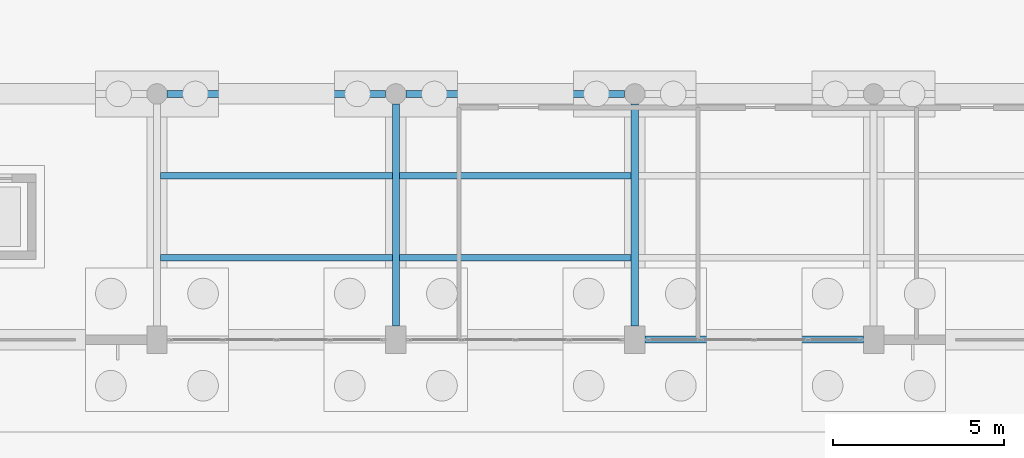
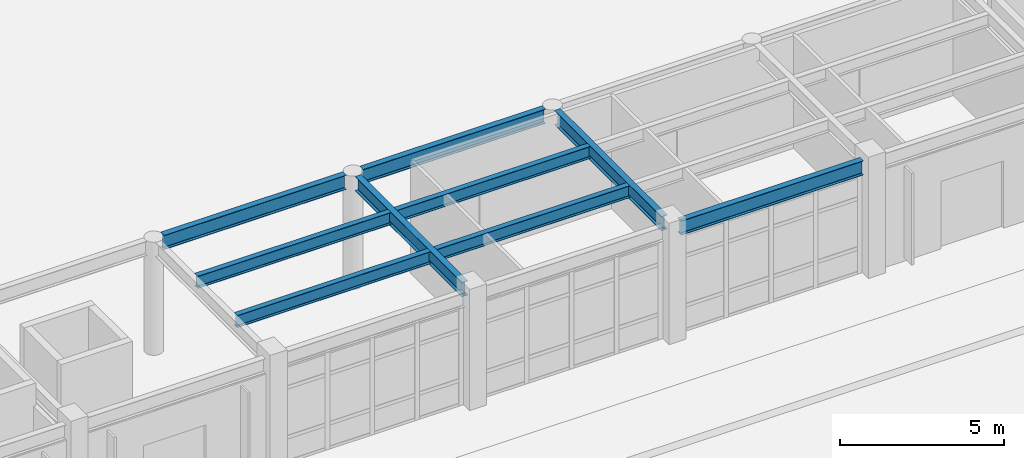
# One storey, part 17 of 154: 9 beams.
"""IFC4 building model written with IfcOpenShell, lengths in metres."""

from ifc_helpers import new_model, si_unit, direction, frame, origin, origin_2d, place, context, subcontext, project, spatial, i_section, extrude, material, material_profile, profile_set, type_object, element, save


model = new_model("IFC4")

# Units and contexts
model_context = context("Model", 3, precision=1e-05, world=origin(), true_north=direction((0.0, 1.0)))
body_context = subcontext(model_context, "Body", "Model", "MODEL_VIEW")
ifc_project = project(units=[si_unit("LENGTHUNIT", "METRE"), si_unit("AREAUNIT", "SQUARE_METRE"), si_unit("VOLUMEUNIT", "CUBIC_METRE"), si_unit("PLANEANGLEUNIT", "RADIAN"), si_unit("MASSUNIT", "GRAM", prefix="KILO")], contexts=[model_context])

# Site, building, storey
site_placement = place(None, origin())
site = spatial("IfcSite", under=ifc_project, at=site_placement, CompositionType="ELEMENT")
building_placement = place(site_placement, origin())
building = spatial("IfcBuilding", under=site, at=building_placement, Name="Kestramere Prow Commons", CompositionType="ELEMENT")
storey_placement = place(building_placement, origin())
storey = spatial("IfcBuildingStorey", under=building, at=storey_placement, Name="L00", CompositionType="ELEMENT", Elevation=0.0)

# Beams
ifc_material = material(Name="Steel S355JR", Category="steel")
ifc_material_profile_1 = material_profile(ifc_material, i_section(OverallWidth=0.209228515625, OverallDepth=0.533203125, WebThickness=0.010009765625, FlangeThickness=0.015625, FilletRadius=0.0126953125, at=origin_2d()), Name="UB 533x210x92")
ifc_profile_set_1 = profile_set([ifc_material_profile_1], Name="Steel S355JR")
beam_type_1 = type_object("IfcBeamType", Name="BM-HL-GAL UB 533x210x92", PredefinedType="BEAM", material=ifc_profile_set_1)
for number, where, z_axis, x_axis, name in (
    (1, (16.5, 14.699951171875, 3.933349609375), (1.0, 0.0, 0.0), (0.0, 1.0, 0.0), "Hall Gallery Edge Girder 3"),
    (2, (23.5, 14.699951171875, 3.933349609375), (1.0, 0.0, 0.0), (0.0, 1.0, 0.0), "Hall Gallery Edge Girder 4"),
):
    element("IfcBeam", number, at=place(storey_placement, frame(where, z_axis=z_axis, x_axis=x_axis)), inside=storey, type_object=beam_type_1, Name=name, PredefinedType="BEAM", context=body_context, shape_type="SweptSolid", body=[
        extrude(i_section(OverallWidth=0.209228515625, OverallDepth=0.533203125, WebThickness=0.010009765625, FlangeThickness=0.015625, FilletRadius=0.0126953125, at=origin_2d()), origin(), (0.0, 0.0, 1.0), 6.39990234375),
    ])
for number, where, z_axis, x_axis, name in (
    (3, (23.199951171875, 7.89990234375, 3.933349609375), (0.0, 1.0, 0.0), (-1.0, 0.0, 0.0), "Hall Gallery Cross-Beam 4"),
    (4, (30.199951171875, 7.89990234375, 3.933349609375), (0.0, 1.0, 0.0), (-1.0, 0.0, 0.0), "Hall Gallery Cross-Beam 5"),
):
    element("IfcBeam", number, at=place(storey_placement, frame(where, z_axis=z_axis, x_axis=x_axis)), inside=storey, type_object=beam_type_1, Name=name, PredefinedType="BEAM", context=body_context, shape_type="SweptSolid", body=[
        extrude(i_section(OverallWidth=0.209228515625, OverallDepth=0.533203125, WebThickness=0.010009765625, FlangeThickness=0.015625, FilletRadius=0.0126953125, at=origin_2d()), origin(), (0.0, 0.0, 1.0), 6.5),
    ])
ifc_material_profile_2 = material_profile(ifc_material, i_section(OverallWidth=0.209228515625, OverallDepth=0.533203125, WebThickness=0.010009765625, FlangeThickness=0.015625, FilletRadius=0.0126953125, at=origin_2d()), Name="UB 533x210x92")
ifc_profile_set_2 = profile_set([ifc_material_profile_2], Name="Steel S355JR")
beam_type_2 = type_object("IfcBeamType", Name="BM-HL-GAL UB 533x210x92 (EX)", PredefinedType="BEAM", material=ifc_profile_set_2)
beam_placement = place(storey_placement, frame((30.5, 7.5, 3.933349609375), z_axis=(1.0, 0.0, 0.0), x_axis=(0.0, 1.0, 0.0)))
element("IfcBeam", 5, at=beam_placement, inside=storey, type_object=beam_type_2, Name="Hall South Girder 5", PredefinedType="BEAM", context=body_context, shape_type="SweptSolid", body=[
    extrude(i_section(OverallWidth=0.209228515625, OverallDepth=0.533203125, WebThickness=0.010009765625, FlangeThickness=0.015625, FilletRadius=0.0126953125, at=origin_2d()), origin(), (0.0, 0.0, 1.0), 6.39990234375),
])
ifc_material_profile_3 = material_profile(ifc_material, i_section(OverallWidth=0.1904296875, OverallDepth=0.45703125, WebThickness=0.009033203125, FlangeThickness=0.014404296875, FilletRadius=0.01025390625, at=origin_2d()), Name="UB 457x191x74")
ifc_profile_set_3 = profile_set([ifc_material_profile_3], Name="Steel S355JR")
beam_type_3 = type_object("IfcBeamType", Name="JST-HL-01 UB 457x191x74", PredefinedType="JOIST", material=ifc_profile_set_3)
for number, where, z_axis, x_axis, name in (
    (6, (16.3046875, 9.89990234375, 3.971435546875), (1.0, 0.0, 0.0), (0.0, 1.0, 0.0), "Hall Gallery Joist 3-2"),
    (7, (16.3046875, 12.300048828125, 3.971435546875), (1.0, 0.0, 0.0), (0.0, 1.0, 0.0), "Hall Gallery Joist 3-4"),
    (8, (23.3046875, 9.89990234375, 3.971435546875), (1.0, 0.0, 0.0), (0.0, 1.0, 0.0), "Hall Gallery Joist 4-2"),
    (9, (23.3046875, 12.300048828125, 3.971435546875), (1.0, 0.0, 0.0), (0.0, 1.0, 0.0), "Hall Gallery Joist 4-4"),
):
    element("IfcBeam", number, at=place(storey_placement, frame(where, z_axis=z_axis, x_axis=x_axis)), inside=storey, type_object=beam_type_3, Name=name, PredefinedType="JOIST", context=body_context, shape_type="SweptSolid", body=[
        extrude(i_section(OverallWidth=0.1904296875, OverallDepth=0.45703125, WebThickness=0.009033203125, FlangeThickness=0.014404296875, FilletRadius=0.01025390625, at=origin_2d()), origin(), (0.0, 0.0, 1.0), 6.790771484375),
    ])

save(model, "model.ifc")
